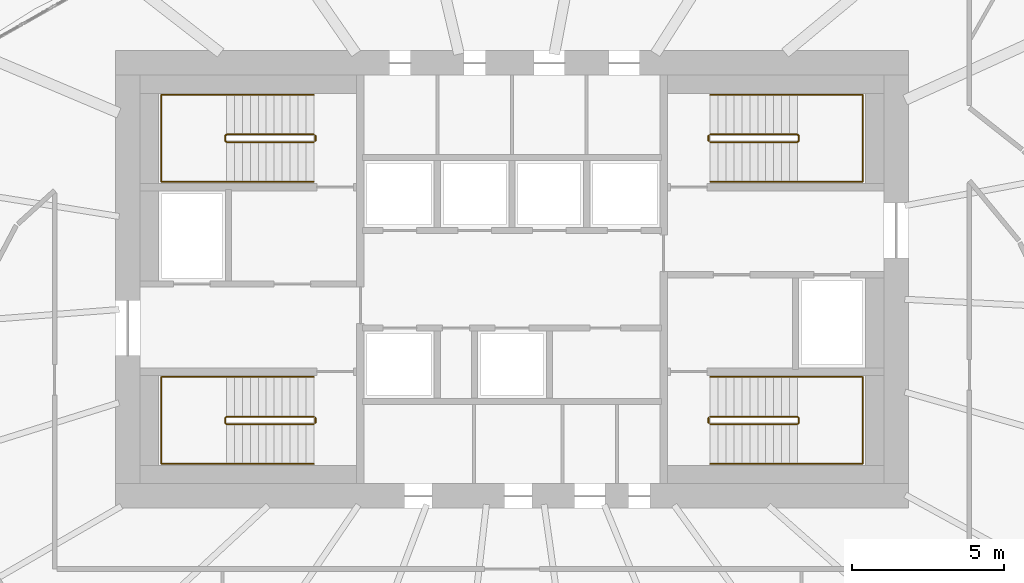
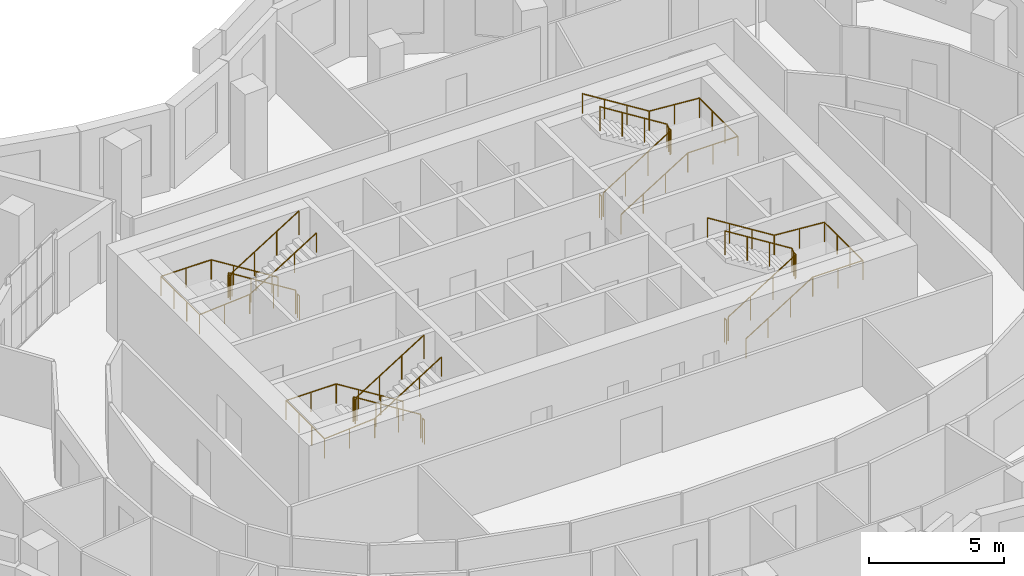
# One storey, part 12 of 13: 12 railings.
"""IFC4 building model written with IfcOpenShell, lengths in metres."""

import ifcopenshell
import ifcopenshell.guid

model = None  # the IFC model being written
_history = None  # IfcOwnerHistory: only IFC2X3 demands one
_inside = {}  # id of a spatial element -> (the spatial element, [elements in it])
_under = {}  # id of a project, library or spatial element -> (it, [spatial elements below it])
_declared = {}  # id of a project -> (the project, [libraries it declares])
_typed = {}  # id of a type object -> (the type object, [elements of that type])
_made_of = {}  # id of a material, layer set ... -> (it, [elements and type objects made of it])


def new_model(schema):
    """Start an empty IFC model of exactly this schema.

    Asked for "IFC4X3", IfcOpenShell would pick the latest addendum, in which some entities
    have other attributes; the version numbers below select the first issue.
    IFC2X3 requires an IfcOwnerHistory on every rooted entity: one is made here for all.
    """
    global model, _history
    if schema == "IFC4X3":
        model = ifcopenshell.file(schema_version=(4, 3, 0, 0))
    else:
        model = ifcopenshell.file(schema=schema)
    _inside.clear()
    _under.clear()
    _declared.clear()
    _typed.clear()
    _made_of.clear()
    _history = None
    if model.schema == "IFC2X3":
        org = make("IfcOrganization", Name="unknown")
        user = make(
            "IfcPersonAndOrganization",
            ThePerson=make("IfcPerson", FamilyName="unknown"),
            TheOrganization=org,
        )
        app = make(
            "IfcApplication",
            ApplicationDeveloper=org,
            Version="unknown",
            ApplicationFullName="unknown",
            ApplicationIdentifier="unknown",
        )
        _history = make(
            "IfcOwnerHistory",
            OwningUser=user,
            OwningApplication=app,
            ChangeAction="ADDED",
            CreationDate=0,
        )
    return model


def make(cls, **values):
    """One entity of the class cls with the attributes given. An attribute that is None is left unset."""
    return model.create_entity(
        cls, **{name: value for name, value in values.items() if value is not None}
    )


def rooted(cls, **values):
    """An entity with a GlobalId (a new one), such as an element, a storey or a relation."""
    return make(cls, GlobalId=ifcopenshell.guid.new(), OwnerHistory=_history, **values)


def si_unit(unit_type, name, prefix=None):
    """IfcSIUnit, for example si_unit("LENGTHUNIT", "METRE", prefix="MILLI")."""
    return make("IfcSIUnit", UnitType=unit_type, Prefix=prefix, Name=name)


def assignment(units):
    """IfcUnitAssignment: the units of a project."""
    return None if units is None else make("IfcUnitAssignment", Units=units)


def point(xyz):
    """IfcCartesianPoint."""
    return None if xyz is None else make("IfcCartesianPoint", Coordinates=xyz)


def direction(xyz):
    """IfcDirection."""
    return None if xyz is None else make("IfcDirection", DirectionRatios=xyz)


def frame(location, z_axis=None, x_axis=None):
    """IfcAxis2Placement3D, a coordinate frame: its origin and axes. An axis left out is left unset."""
    return make(
        "IfcAxis2Placement3D",
        Location=point(location),
        Axis=direction(z_axis),
        RefDirection=direction(x_axis),
    )


def frame_2d(location, x_axis=None):
    """IfcAxis2Placement2D, a coordinate frame in the plane: its origin and x axis."""
    return make(
        "IfcAxis2Placement2D", Location=point(location), RefDirection=direction(x_axis)
    )


def origin():
    """The frame at (0, 0, 0) with its axes left unset."""
    return frame((0.0, 0.0, 0.0))


def origin_2d():
    """The frame at (0, 0) in the plane with its x axis left unset."""
    return frame_2d((0.0, 0.0))


def place(relative_to, where):
    """IfcLocalPlacement: puts the frame where relative to a parent placement (None: the world)."""
    return make(
        "IfcLocalPlacement", PlacementRelTo=relative_to, RelativePlacement=where
    )


def context(
    kind, dimensions, precision=None, world=None, true_north=None, identifier=None
):
    """IfcGeometricRepresentationContext, for example the 3D "Model" context."""
    return make(
        "IfcGeometricRepresentationContext",
        ContextIdentifier=identifier,
        ContextType=kind,
        CoordinateSpaceDimension=dimensions,
        Precision=precision,
        WorldCoordinateSystem=world,
        TrueNorth=true_north,
    )


def subcontext(parent, identifier, kind, view, scale=None):
    """IfcGeometricRepresentationSubContext, for example "Body" below "Model"."""
    return make(
        "IfcGeometricRepresentationSubContext",
        ContextIdentifier=identifier,
        ContextType=kind,
        ParentContext=parent,
        TargetScale=scale,
        TargetView=view,
    )


def project(units=None, contexts=None):
    """IfcProject with its units and contexts."""
    return rooted(
        "IfcProject",
        Name="project",
        RepresentationContexts=contexts,
        UnitsInContext=assignment(units),
    )


def spatial(cls, under=None, at=None, **own):
    """A site, building, storey or space (cls), placed at a placement, below another one or the project."""
    s = rooted(cls, ObjectPlacement=at, **own)
    if under is not None:
        _under.setdefault(under.id(), (under, []))[1].append(s)
    return s


def profile(cls, at=None, kind="AREA", **sizes):
    """A parametric profile (cls). Its sizes go by their IFC names, for example OverallWidth=200.0."""
    return make(cls, ProfileType=kind, Position=at, **sizes)


def circle(**sizes):
    """IfcCircleProfileDef."""
    return profile("IfcCircleProfileDef", **sizes)


def extrude(swept, where, along, depth):
    """IfcExtrudedAreaSolid: the profile swept, set in the frame where, extruded along a direction by depth."""
    return make(
        "IfcExtrudedAreaSolid",
        SweptArea=swept,
        Position=where,
        ExtrudedDirection=direction(along),
        Depth=depth,
    )


def shape(context_of_items, identifier, shape_type, items):
    """IfcShapeRepresentation: the items that make up one representation, for example the "Body"."""
    return make(
        "IfcShapeRepresentation",
        ContextOfItems=context_of_items,
        RepresentationIdentifier=identifier,
        RepresentationType=shape_type,
        Items=items,
    )


def material(Name=None, Category=None):
    """IfcMaterial."""
    return make("IfcMaterial", Name=Name, Category=Category)


def made_of(thing, what):
    """Note that an element or type object is made of a material, layer set ...; save() writes the relation."""
    if what is not None:
        _made_of.setdefault(what.id(), (what, []))[1].append(thing)
    return thing


def type_object(cls, material=None, **own):
    """A type object (cls), such as IfcWallType, which elements share."""
    return made_of(rooted(cls, **own), material)


def element(
    cls,
    number,
    at=None,
    inside=None,
    cuts=None,
    type_object=None,
    material=None,
    context=None,
    identifier="Body",
    shape_type=None,
    held_by="IfcProductDefinitionShape",
    body=None,
    shapes=None,
    **own,
):
    """One element of the class cls, such as IfcWall. Its Tag is "e" and its number.

    at: its placement. inside: the storey or other place that contains it. cuts: it is an
    opening in that element (IfcRelVoidsElement). A single representation is given by context,
    identifier, shape_type and body (its items); several are given by shapes. held_by: the class
    of the entity that holds the representations. save() writes the other relations.
    """
    e = rooted(cls, Tag="e%d" % number, ObjectPlacement=at, **own)
    if body is not None:
        shapes = [shape(context, identifier, shape_type, body)]
    if shapes is not None:
        e.Representation = make(held_by, Representations=shapes)
    if inside is not None:
        _inside.setdefault(inside.id(), (inside, []))[1].append(e)
    if cuts is not None:
        rooted(
            "IfcRelVoidsElement", RelatingBuildingElement=cuts, RelatedOpeningElement=e
        )
    if type_object is not None:
        _typed.setdefault(type_object.id(), (type_object, []))[1].append(e)
    return made_of(e, material)


def aggregate(whole, parts):
    """IfcRelAggregates: a whole, such as a stair, and the parts it consists of."""
    return rooted("IfcRelAggregates", RelatingObject=whole, RelatedObjects=parts)


def save(model, path):
    """Write the relations noted so far, then the file.

    IfcRelAggregates (storeys below a building ...), IfcRelContainedInSpatialStructure (elements
    in a storey), IfcRelDefinesByType, IfcRelAssociatesMaterial and IfcRelDeclares: one each for
    every whole, place, type object, material and project.
    """
    for whole, parts in _under.values():
        aggregate(whole, parts)
    for where, things in _inside.values():
        rooted(
            "IfcRelContainedInSpatialStructure",
            RelatedElements=things,
            RelatingStructure=where,
        )
    for kind, things in _typed.values():
        rooted("IfcRelDefinesByType", RelatedObjects=things, RelatingType=kind)
    for what, things in _made_of.values():
        rooted("IfcRelAssociatesMaterial", RelatedObjects=things, RelatingMaterial=what)
    for by, libraries in _declared.values():
        rooted("IfcRelDeclares", RelatingContext=by, RelatedDefinitions=libraries)
    model.write(path)


model = new_model("IFC4")

# Units and contexts
model_context = context("Model", 3, precision=1e-05, world=origin(), true_north=direction((0.0, 1.0)))
body_context = subcontext(model_context, "Body", "Model", "MODEL_VIEW")
ifc_project = project(units=[si_unit("LENGTHUNIT", "METRE"), si_unit("AREAUNIT", "SQUARE_METRE"), si_unit("VOLUMEUNIT", "CUBIC_METRE"), si_unit("PLANEANGLEUNIT", "RADIAN"), si_unit("MASSUNIT", "GRAM", prefix="KILO")], contexts=[model_context])

# Site, building, storey
site_placement = place(None, origin())
site = spatial("IfcSite", under=ifc_project, at=site_placement, CompositionType="ELEMENT")
building_placement = place(site_placement, origin())
building = spatial("IfcBuilding", under=site, at=building_placement, Name="Rubra Terraces Tower", CompositionType="ELEMENT")
storey_placement = place(building_placement, frame((0.0, 0.0, 189.60009765625)))
storey = spatial("IfcBuildingStorey", under=building, at=storey_placement, Name="L46", CompositionType="ELEMENT", Elevation=189.60009765625)

# Railings
ifc_material = material(Name="Stainless steel", Category="steel")
railing_type_1 = type_object("IfcRailingType", Name="Core stair guard 1100", PredefinedType="GUARDRAIL", material=ifc_material)
railing_1_placement = place(storey_placement, frame((-6.5, 0.0, 0.162353515625)))
element("IfcRailing", 1, at=railing_1_placement, inside=storey, type_object=railing_type_1, Name="L46 stair S1 guard 1", PredefinedType="GUARDRAIL", context=body_context, shape_type="SweptSolid", body=[
    extrude(circle(Radius=0.02392578125, at=origin_2d()), frame((0.0, 0.0, 1.076171875), z_axis=(-0.847994237388, 0.0, 0.530005446535), x_axis=(0.0, -1.0, 0.0)), (0.0, 0.0, 1.0), 3.372802734375),
    extrude(circle(Radius=0.02392578125, at=origin_2d()), frame((-2.860107421875, 0.0, 2.86376953125), z_axis=(-0.705375805398, -0.708833529934, 0.0), x_axis=(0.708833529934, -0.705375805398, 0.0)), (0.0, 0.0, 1.0), 0.070556640625),
    extrude(circle(Radius=0.02392578125, at=origin_2d()), frame((-2.909912109375, -0.050048828125, 2.86376953125), z_axis=(0.0, -1.0, 0.0), x_axis=(1.0, 0.0, 0.0)), (0.0, 0.0, 1.0), 0.14990234375),
    extrude(circle(Radius=0.02392578125, at=origin_2d()), frame((-2.909912109375, -0.199951171875, 2.86376953125), z_axis=(0.281314826061, -0.282693820306, 0.917031173188), x_axis=(0.708833529934, 0.705375805398, 0.0)), (0.0, 0.0, 1.0), 0.177001953125),
    extrude(circle(Radius=0.02392578125, at=origin_2d()), frame((-2.860107421875, -0.25, 3.02587890625), z_axis=(0.847994237388, 0.0, 0.530005446535), x_axis=(0.0, 1.0, 0.0)), (0.0, 0.0, 1.0), 3.372802734375),
    extrude(circle(Radius=0.02099609375, at=origin_2d()), origin(), (0.0, 0.0, 1.0), 1.052001953125),
    extrude(circle(Radius=0.02099609375, at=origin_2d()), frame((-0.953369140625, 0.0, 0.595947265625)), (0.0, 0.0, 1.0), 1.052001953125),
    extrude(circle(Radius=0.02099609375, at=origin_2d()), frame((-1.90673828125, 0.0, 1.191650390625)), (0.0, 0.0, 1.0), 1.052001953125),
    extrude(circle(Radius=0.02099609375, at=origin_2d()), frame((-2.860107421875, 0.0, 1.78759765625)), (0.0, 0.0, 1.0), 1.052001953125),
    extrude(circle(Radius=0.02099609375, at=origin_2d()), frame((-2.909912109375, -0.050048828125, 1.78759765625)), (0.0, 0.0, 1.0), 1.052001953125),
    extrude(circle(Radius=0.02099609375, at=origin_2d()), frame((-2.909912109375, -0.199951171875, 1.78759765625)), (0.0, 0.0, 1.0), 1.052001953125),
    extrude(circle(Radius=0.02099609375, at=origin_2d()), frame((-2.860107421875, -0.25, 1.949951171875)), (0.0, 0.0, 1.0), 1.052001953125),
    extrude(circle(Radius=0.02099609375, at=origin_2d()), frame((-1.90673828125, -0.25, 2.5458984375)), (0.0, 0.0, 1.0), 1.052001953125),
    extrude(circle(Radius=0.02099609375, at=origin_2d()), frame((-0.953369140625, -0.25, 3.1416015625)), (0.0, 0.0, 1.0), 1.052001953125),
    extrude(circle(Radius=0.02099609375, at=origin_2d()), frame((0.0, -0.25, 3.737548828125)), (0.0, 0.0, 1.0), 1.052001953125),
])
railing_2_placement = place(storey_placement, frame((-6.449951171875, -0.050048828125, 0.0)))
element("IfcRailing", 2, at=railing_2_placement, inside=storey, type_object=railing_type_1, Name="L46 stair S1 guard 2", PredefinedType="GUARDRAIL", context=body_context, shape_type="SweptSolid", body=[
    extrude(circle(Radius=0.02392578125, at=origin_2d()), frame((0.0, 0.0, 1.076171875), z_axis=(0.0, -1.0, 0.0), x_axis=(1.0, 0.0, 0.0)), (0.0, 0.0, 1.0), 0.14990234375),
    extrude(circle(Radius=0.02099609375, at=origin_2d()), origin(), (0.0, 0.0, 1.0), 1.052001953125),
    extrude(circle(Radius=0.02099609375, at=origin_2d()), frame((0.0, -0.14990234375, 0.0)), (0.0, 0.0, 1.0), 1.052001953125),
])
railing_3_placement = place(storey_placement, frame((-6.5, 9.25, 0.162353515625)))
element("IfcRailing", 3, at=railing_3_placement, inside=storey, type_object=railing_type_1, Name="L46 stair S2 guard 1", PredefinedType="GUARDRAIL", context=body_context, shape_type="SweptSolid", body=[
    extrude(circle(Radius=0.02392578125, at=origin_2d()), frame((0.0, 0.0, 1.076171875), z_axis=(-0.847994237388, 0.0, 0.530005446535), x_axis=(0.0, -1.0, 0.0)), (0.0, 0.0, 1.0), 3.372802734375),
    extrude(circle(Radius=0.02392578125, at=origin_2d()), frame((-2.860107421875, 0.0, 2.86376953125), z_axis=(-0.705375805398, -0.708833529934, 0.0), x_axis=(0.708833529934, -0.705375805398, 0.0)), (0.0, 0.0, 1.0), 0.070556640625),
    extrude(circle(Radius=0.02392578125, at=origin_2d()), frame((-2.909912109375, -0.050048828125, 2.86376953125), z_axis=(0.0, -1.0, 0.0), x_axis=(1.0, 0.0, 0.0)), (0.0, 0.0, 1.0), 0.14990234375),
    extrude(circle(Radius=0.02392578125, at=origin_2d()), frame((-2.909912109375, -0.199951171875, 2.86376953125), z_axis=(0.281314826061, -0.282693820306, 0.917031173188), x_axis=(0.708833529934, 0.705375805398, 0.0)), (0.0, 0.0, 1.0), 0.177001953125),
    extrude(circle(Radius=0.02392578125, at=origin_2d()), frame((-2.860107421875, -0.25, 3.02587890625), z_axis=(0.847994237388, 0.0, 0.530005446535), x_axis=(0.0, 1.0, 0.0)), (0.0, 0.0, 1.0), 3.372802734375),
    extrude(circle(Radius=0.02099609375, at=origin_2d()), origin(), (0.0, 0.0, 1.0), 1.052001953125),
    extrude(circle(Radius=0.02099609375, at=origin_2d()), frame((-0.953369140625, 0.0, 0.595947265625)), (0.0, 0.0, 1.0), 1.052001953125),
    extrude(circle(Radius=0.02099609375, at=origin_2d()), frame((-1.90673828125, 0.0, 1.191650390625)), (0.0, 0.0, 1.0), 1.052001953125),
    extrude(circle(Radius=0.02099609375, at=origin_2d()), frame((-2.860107421875, 0.0, 1.78759765625)), (0.0, 0.0, 1.0), 1.052001953125),
    extrude(circle(Radius=0.02099609375, at=origin_2d()), frame((-2.909912109375, -0.050048828125, 1.78759765625)), (0.0, 0.0, 1.0), 1.052001953125),
    extrude(circle(Radius=0.02099609375, at=origin_2d()), frame((-2.909912109375, -0.199951171875, 1.78759765625)), (0.0, 0.0, 1.0), 1.052001953125),
    extrude(circle(Radius=0.02099609375, at=origin_2d()), frame((-2.860107421875, -0.25, 1.949951171875)), (0.0, 0.0, 1.0), 1.052001953125),
    extrude(circle(Radius=0.02099609375, at=origin_2d()), frame((-1.90673828125, -0.25, 2.5458984375)), (0.0, 0.0, 1.0), 1.052001953125),
    extrude(circle(Radius=0.02099609375, at=origin_2d()), frame((-0.953369140625, -0.25, 3.1416015625)), (0.0, 0.0, 1.0), 1.052001953125),
    extrude(circle(Radius=0.02099609375, at=origin_2d()), frame((0.0, -0.25, 3.737548828125)), (0.0, 0.0, 1.0), 1.052001953125),
])
railing_4_placement = place(storey_placement, frame((-6.449951171875, 9.199951171875, 0.0)))
element("IfcRailing", 4, at=railing_4_placement, inside=storey, type_object=railing_type_1, Name="L46 stair S2 guard 2", PredefinedType="GUARDRAIL", context=body_context, shape_type="SweptSolid", body=[
    extrude(circle(Radius=0.02392578125, at=origin_2d()), frame((0.0, 0.0, 1.076171875), z_axis=(0.0, -1.0, 0.0), x_axis=(1.0, 0.0, 0.0)), (0.0, 0.0, 1.0), 0.14990234375),
    extrude(circle(Radius=0.02099609375, at=origin_2d()), origin(), (0.0, 0.0, 1.0), 1.052001953125),
    extrude(circle(Radius=0.02099609375, at=origin_2d()), frame((0.0, -0.14990234375, 0.0)), (0.0, 0.0, 1.0), 1.052001953125),
])
railing_5_placement = place(storey_placement, frame((6.5, 9.0, 0.162353515625)))
element("IfcRailing", 5, at=railing_5_placement, inside=storey, type_object=railing_type_1, Name="L46 stair S3 guard 1", PredefinedType="GUARDRAIL", context=body_context, shape_type="SweptSolid", body=[
    extrude(circle(Radius=0.02392578125, at=origin_2d()), frame((0.0, 0.0, 1.076171875), z_axis=(0.847994237388, 0.0, 0.530005446535), x_axis=(0.0, 1.0, 0.0)), (0.0, 0.0, 1.0), 3.372802734375),
    extrude(circle(Radius=0.02392578125, at=origin_2d()), frame((2.860107421875, 0.0, 2.86376953125), z_axis=(0.705375805398, 0.708833529934, 0.0), x_axis=(-0.708833529934, 0.705375805398, 0.0)), (0.0, 0.0, 1.0), 0.070556640625),
    extrude(circle(Radius=0.02392578125, at=origin_2d()), frame((2.909912109375, 0.050048828125, 2.86376953125), z_axis=(0.0, 1.0, 0.0), x_axis=(-1.0, 0.0, 0.0)), (0.0, 0.0, 1.0), 0.14990234375),
    extrude(circle(Radius=0.02392578125, at=origin_2d()), frame((2.909912109375, 0.199951171875, 2.86376953125), z_axis=(-0.281314826061, 0.282693820306, 0.917031173188), x_axis=(-0.708833529934, -0.705375805398, 0.0)), (0.0, 0.0, 1.0), 0.177001953125),
    extrude(circle(Radius=0.02392578125, at=origin_2d()), frame((2.860107421875, 0.25, 3.02587890625), z_axis=(-0.847994237388, 0.0, 0.530005446535), x_axis=(0.0, -1.0, 0.0)), (0.0, 0.0, 1.0), 3.372802734375),
    extrude(circle(Radius=0.02099609375, at=origin_2d()), origin(), (0.0, 0.0, 1.0), 1.052001953125),
    extrude(circle(Radius=0.02099609375, at=origin_2d()), frame((0.953369140625, 0.0, 0.595947265625)), (0.0, 0.0, 1.0), 1.052001953125),
    extrude(circle(Radius=0.02099609375, at=origin_2d()), frame((1.90673828125, 0.0, 1.191650390625)), (0.0, 0.0, 1.0), 1.052001953125),
    extrude(circle(Radius=0.02099609375, at=origin_2d()), frame((2.860107421875, 0.0, 1.78759765625)), (0.0, 0.0, 1.0), 1.052001953125),
    extrude(circle(Radius=0.02099609375, at=origin_2d()), frame((2.909912109375, 0.050048828125, 1.78759765625)), (0.0, 0.0, 1.0), 1.052001953125),
    extrude(circle(Radius=0.02099609375, at=origin_2d()), frame((2.909912109375, 0.199951171875, 1.78759765625)), (0.0, 0.0, 1.0), 1.052001953125),
    extrude(circle(Radius=0.02099609375, at=origin_2d()), frame((2.860107421875, 0.25, 1.949951171875)), (0.0, 0.0, 1.0), 1.052001953125),
    extrude(circle(Radius=0.02099609375, at=origin_2d()), frame((1.90673828125, 0.25, 2.5458984375)), (0.0, 0.0, 1.0), 1.052001953125),
    extrude(circle(Radius=0.02099609375, at=origin_2d()), frame((0.953369140625, 0.25, 3.1416015625)), (0.0, 0.0, 1.0), 1.052001953125),
    extrude(circle(Radius=0.02099609375, at=origin_2d()), frame((0.0, 0.25, 3.737548828125)), (0.0, 0.0, 1.0), 1.052001953125),
])
railing_6_placement = place(storey_placement, frame((6.449951171875, 9.050048828125, 0.0)))
element("IfcRailing", 6, at=railing_6_placement, inside=storey, type_object=railing_type_1, Name="L46 stair S3 guard 2", PredefinedType="GUARDRAIL", context=body_context, shape_type="SweptSolid", body=[
    extrude(circle(Radius=0.02392578125, at=origin_2d()), frame((0.0, 0.0, 1.076171875), z_axis=(0.0, 1.0, 0.0), x_axis=(-1.0, 0.0, 0.0)), (0.0, 0.0, 1.0), 0.14990234375),
    extrude(circle(Radius=0.02099609375, at=origin_2d()), origin(), (0.0, 0.0, 1.0), 1.052001953125),
    extrude(circle(Radius=0.02099609375, at=origin_2d()), frame((0.0, 0.14990234375, 0.0)), (0.0, 0.0, 1.0), 1.052001953125),
])
railing_7_placement = place(storey_placement, frame((6.5, -0.25, 0.162353515625)))
element("IfcRailing", 7, at=railing_7_placement, inside=storey, type_object=railing_type_1, Name="L46 stair S4 guard 1", PredefinedType="GUARDRAIL", context=body_context, shape_type="SweptSolid", body=[
    extrude(circle(Radius=0.02392578125, at=origin_2d()), frame((0.0, 0.0, 1.076171875), z_axis=(0.847994237388, 0.0, 0.530005446535), x_axis=(0.0, 1.0, 0.0)), (0.0, 0.0, 1.0), 3.372802734375),
    extrude(circle(Radius=0.02392578125, at=origin_2d()), frame((2.860107421875, 0.0, 2.86376953125), z_axis=(0.705375805398, 0.708833529934, 0.0), x_axis=(-0.708833529934, 0.705375805398, 0.0)), (0.0, 0.0, 1.0), 0.070556640625),
    extrude(circle(Radius=0.02392578125, at=origin_2d()), frame((2.909912109375, 0.050048828125, 2.86376953125), z_axis=(0.0, 1.0, 0.0), x_axis=(-1.0, 0.0, 0.0)), (0.0, 0.0, 1.0), 0.14990234375),
    extrude(circle(Radius=0.02392578125, at=origin_2d()), frame((2.909912109375, 0.199951171875, 2.86376953125), z_axis=(-0.281314826061, 0.282693820306, 0.917031173188), x_axis=(-0.708833529934, -0.705375805398, 0.0)), (0.0, 0.0, 1.0), 0.177001953125),
    extrude(circle(Radius=0.02392578125, at=origin_2d()), frame((2.860107421875, 0.25, 3.02587890625), z_axis=(-0.847994237388, 0.0, 0.530005446535), x_axis=(0.0, -1.0, 0.0)), (0.0, 0.0, 1.0), 3.372802734375),
    extrude(circle(Radius=0.02099609375, at=origin_2d()), origin(), (0.0, 0.0, 1.0), 1.052001953125),
    extrude(circle(Radius=0.02099609375, at=origin_2d()), frame((0.953369140625, 0.0, 0.595947265625)), (0.0, 0.0, 1.0), 1.052001953125),
    extrude(circle(Radius=0.02099609375, at=origin_2d()), frame((1.90673828125, 0.0, 1.191650390625)), (0.0, 0.0, 1.0), 1.052001953125),
    extrude(circle(Radius=0.02099609375, at=origin_2d()), frame((2.860107421875, 0.0, 1.78759765625)), (0.0, 0.0, 1.0), 1.052001953125),
    extrude(circle(Radius=0.02099609375, at=origin_2d()), frame((2.909912109375, 0.050048828125, 1.78759765625)), (0.0, 0.0, 1.0), 1.052001953125),
    extrude(circle(Radius=0.02099609375, at=origin_2d()), frame((2.909912109375, 0.199951171875, 1.78759765625)), (0.0, 0.0, 1.0), 1.052001953125),
    extrude(circle(Radius=0.02099609375, at=origin_2d()), frame((2.860107421875, 0.25, 1.949951171875)), (0.0, 0.0, 1.0), 1.052001953125),
    extrude(circle(Radius=0.02099609375, at=origin_2d()), frame((1.90673828125, 0.25, 2.5458984375)), (0.0, 0.0, 1.0), 1.052001953125),
    extrude(circle(Radius=0.02099609375, at=origin_2d()), frame((0.953369140625, 0.25, 3.1416015625)), (0.0, 0.0, 1.0), 1.052001953125),
    extrude(circle(Radius=0.02099609375, at=origin_2d()), frame((0.0, 0.25, 3.737548828125)), (0.0, 0.0, 1.0), 1.052001953125),
])
railing_8_placement = place(storey_placement, frame((6.449951171875, -0.199951171875, 0.0)))
element("IfcRailing", 8, at=railing_8_placement, inside=storey, type_object=railing_type_1, Name="L46 stair S4 guard 2", PredefinedType="GUARDRAIL", context=body_context, shape_type="SweptSolid", body=[
    extrude(circle(Radius=0.02392578125, at=origin_2d()), frame((0.0, 0.0, 1.076171875), z_axis=(0.0, 1.0, 0.0), x_axis=(-1.0, 0.0, 0.0)), (0.0, 0.0, 1.0), 0.14990234375),
    extrude(circle(Radius=0.02099609375, at=origin_2d()), origin(), (0.0, 0.0, 1.0), 1.052001953125),
    extrude(circle(Radius=0.02099609375, at=origin_2d()), frame((0.0, 0.14990234375, 0.0)), (0.0, 0.0, 1.0), 1.052001953125),
])
railing_type_2 = type_object("IfcRailingType", Name="Core stair handrail 900", PredefinedType="HANDRAIL", material=ifc_material)
railing_9_placement = place(storey_placement, frame((-6.5, 1.300048828125, 0.162353515625)))
element("IfcRailing", 9, at=railing_9_placement, inside=storey, type_object=railing_type_2, Name="L46 stair S1 handrail 1", PredefinedType="HANDRAIL", context=body_context, shape_type="SweptSolid", body=[
    extrude(circle(Radius=0.02392578125, at=origin_2d()), frame((0.0, 0.0, 0.8759765625), z_axis=(-0.847994237388, 0.0, 0.530005446535), x_axis=(0.0, -1.0, 0.0)), (0.0, 0.0, 1.0), 3.372802734375),
    extrude(circle(Radius=0.02392578125, at=origin_2d()), frame((-2.860107421875, 0.0, 2.66357421875), z_axis=(-1.0, 0.0, 0.0), x_axis=(0.0, -1.0, 0.0)), (0.0, 0.0, 1.0), 2.139892578125),
    extrude(circle(Radius=0.02392578125, at=origin_2d()), frame((-5.0, 0.0, 2.66357421875), z_axis=(0.0, -1.0, 0.0), x_axis=(1.0, 0.0, 0.0)), (0.0, 0.0, 1.0), 2.85009765625),
    extrude(circle(Radius=0.02392578125, at=origin_2d()), frame((-5.0, -2.85009765625, 2.66357421875), z_axis=(0.9971342424, 0.0, 0.075652512401), x_axis=(0.0, 1.0, 0.0)), (0.0, 0.0, 1.0), 2.14599609375),
    extrude(circle(Radius=0.02392578125, at=origin_2d()), frame((-2.860107421875, -2.85009765625, 2.82568359375), z_axis=(0.847994237388, 0.0, 0.530005446535), x_axis=(0.0, 1.0, 0.0)), (0.0, 0.0, 1.0), 3.372802734375),
    extrude(circle(Radius=0.02099609375, at=origin_2d()), origin(), (0.0, 0.0, 1.0), 0.851806640625),
    extrude(circle(Radius=0.02099609375, at=origin_2d()), frame((-0.953369140625, 0.0, 0.595947265625)), (0.0, 0.0, 1.0), 0.851806640625),
    extrude(circle(Radius=0.02099609375, at=origin_2d()), frame((-1.90673828125, 0.0, 1.191650390625)), (0.0, 0.0, 1.0), 0.851806640625),
    extrude(circle(Radius=0.02099609375, at=origin_2d()), frame((-2.860107421875, 0.0, 1.78759765625)), (0.0, 0.0, 1.0), 0.851806640625),
    extrude(circle(Radius=0.02099609375, at=origin_2d()), frame((-3.93017578125, 0.0, 1.78759765625)), (0.0, 0.0, 1.0), 0.851806640625),
    extrude(circle(Radius=0.02099609375, at=origin_2d()), frame((-5.0, 0.0, 1.78759765625)), (0.0, 0.0, 1.0), 0.851806640625),
    extrude(circle(Radius=0.02099609375, at=origin_2d()), frame((-5.0, -0.949951171875, 1.78759765625)), (0.0, 0.0, 1.0), 0.851806640625),
    extrude(circle(Radius=0.02099609375, at=origin_2d()), frame((-5.0, -1.900146484375, 1.78759765625)), (0.0, 0.0, 1.0), 0.851806640625),
    extrude(circle(Radius=0.02099609375, at=origin_2d()), frame((-5.0, -2.85009765625, 1.78759765625)), (0.0, 0.0, 1.0), 0.851806640625),
    extrude(circle(Radius=0.02099609375, at=origin_2d()), frame((-3.93017578125, -2.85009765625, 1.86865234375)), (0.0, 0.0, 1.0), 0.851806640625),
    extrude(circle(Radius=0.02099609375, at=origin_2d()), frame((-2.860107421875, -2.85009765625, 1.949951171875)), (0.0, 0.0, 1.0), 0.851806640625),
    extrude(circle(Radius=0.02099609375, at=origin_2d()), frame((-1.90673828125, -2.85009765625, 2.5458984375)), (0.0, 0.0, 1.0), 0.851806640625),
    extrude(circle(Radius=0.02099609375, at=origin_2d()), frame((-0.953369140625, -2.85009765625, 3.1416015625)), (0.0, 0.0, 1.0), 0.851806640625),
    extrude(circle(Radius=0.02099609375, at=origin_2d()), frame((0.0, -2.85009765625, 3.737548828125)), (0.0, 0.0, 1.0), 0.851806640625),
])
railing_10_placement = place(storey_placement, frame((-6.5, 10.550048828125, 0.162353515625)))
element("IfcRailing", 10, at=railing_10_placement, inside=storey, type_object=railing_type_2, Name="L46 stair S2 handrail 1", PredefinedType="HANDRAIL", context=body_context, shape_type="SweptSolid", body=[
    extrude(circle(Radius=0.02392578125, at=origin_2d()), frame((0.0, 0.0, 0.8759765625), z_axis=(-0.847994237388, 0.0, 0.530005446535), x_axis=(0.0, -1.0, 0.0)), (0.0, 0.0, 1.0), 3.372802734375),
    extrude(circle(Radius=0.02392578125, at=origin_2d()), frame((-2.860107421875, 0.0, 2.66357421875), z_axis=(-1.0, 0.0, 0.0), x_axis=(0.0, -1.0, 0.0)), (0.0, 0.0, 1.0), 2.139892578125),
    extrude(circle(Radius=0.02392578125, at=origin_2d()), frame((-5.0, 0.0, 2.66357421875), z_axis=(0.0, -1.0, 0.0), x_axis=(1.0, 0.0, 0.0)), (0.0, 0.0, 1.0), 2.85009765625),
    extrude(circle(Radius=0.02392578125, at=origin_2d()), frame((-5.0, -2.85009765625, 2.66357421875), z_axis=(0.9971342424, 0.0, 0.075652512401), x_axis=(0.0, 1.0, 0.0)), (0.0, 0.0, 1.0), 2.14599609375),
    extrude(circle(Radius=0.02392578125, at=origin_2d()), frame((-2.860107421875, -2.85009765625, 2.82568359375), z_axis=(0.847994237388, 0.0, 0.530005446535), x_axis=(0.0, 1.0, 0.0)), (0.0, 0.0, 1.0), 3.372802734375),
    extrude(circle(Radius=0.02099609375, at=origin_2d()), origin(), (0.0, 0.0, 1.0), 0.851806640625),
    extrude(circle(Radius=0.02099609375, at=origin_2d()), frame((-0.953369140625, 0.0, 0.595947265625)), (0.0, 0.0, 1.0), 0.851806640625),
    extrude(circle(Radius=0.02099609375, at=origin_2d()), frame((-1.90673828125, 0.0, 1.191650390625)), (0.0, 0.0, 1.0), 0.851806640625),
    extrude(circle(Radius=0.02099609375, at=origin_2d()), frame((-2.860107421875, 0.0, 1.78759765625)), (0.0, 0.0, 1.0), 0.851806640625),
    extrude(circle(Radius=0.02099609375, at=origin_2d()), frame((-3.93017578125, 0.0, 1.78759765625)), (0.0, 0.0, 1.0), 0.851806640625),
    extrude(circle(Radius=0.02099609375, at=origin_2d()), frame((-5.0, 0.0, 1.78759765625)), (0.0, 0.0, 1.0), 0.851806640625),
    extrude(circle(Radius=0.02099609375, at=origin_2d()), frame((-5.0, -0.949951171875, 1.78759765625)), (0.0, 0.0, 1.0), 0.851806640625),
    extrude(circle(Radius=0.02099609375, at=origin_2d()), frame((-5.0, -1.900146484375, 1.78759765625)), (0.0, 0.0, 1.0), 0.851806640625),
    extrude(circle(Radius=0.02099609375, at=origin_2d()), frame((-5.0, -2.85009765625, 1.78759765625)), (0.0, 0.0, 1.0), 0.851806640625),
    extrude(circle(Radius=0.02099609375, at=origin_2d()), frame((-3.93017578125, -2.85009765625, 1.86865234375)), (0.0, 0.0, 1.0), 0.851806640625),
    extrude(circle(Radius=0.02099609375, at=origin_2d()), frame((-2.860107421875, -2.85009765625, 1.949951171875)), (0.0, 0.0, 1.0), 0.851806640625),
    extrude(circle(Radius=0.02099609375, at=origin_2d()), frame((-1.90673828125, -2.85009765625, 2.5458984375)), (0.0, 0.0, 1.0), 0.851806640625),
    extrude(circle(Radius=0.02099609375, at=origin_2d()), frame((-0.953369140625, -2.85009765625, 3.1416015625)), (0.0, 0.0, 1.0), 0.851806640625),
    extrude(circle(Radius=0.02099609375, at=origin_2d()), frame((0.0, -2.85009765625, 3.737548828125)), (0.0, 0.0, 1.0), 0.851806640625),
])
railing_11_placement = place(storey_placement, frame((6.5, 7.699951171875, 0.162353515625)))
element("IfcRailing", 11, at=railing_11_placement, inside=storey, type_object=railing_type_2, Name="L46 stair S3 handrail 1", PredefinedType="HANDRAIL", context=body_context, shape_type="SweptSolid", body=[
    extrude(circle(Radius=0.02392578125, at=origin_2d()), frame((0.0, 0.0, 0.8759765625), z_axis=(0.847994237388, 0.0, 0.530005446535), x_axis=(0.0, 1.0, 0.0)), (0.0, 0.0, 1.0), 3.372802734375),
    extrude(circle(Radius=0.02392578125, at=origin_2d()), frame((2.860107421875, 0.0, 2.66357421875), z_axis=(1.0, 0.0, 0.0), x_axis=(0.0, 1.0, 0.0)), (0.0, 0.0, 1.0), 2.139892578125),
    extrude(circle(Radius=0.02392578125, at=origin_2d()), frame((5.0, 0.0, 2.66357421875), z_axis=(0.0, 1.0, 0.0), x_axis=(-1.0, 0.0, 0.0)), (0.0, 0.0, 1.0), 2.85009765625),
    extrude(circle(Radius=0.02392578125, at=origin_2d()), frame((5.0, 2.85009765625, 2.66357421875), z_axis=(-0.9971342424, 0.0, 0.075652512401), x_axis=(0.0, -1.0, 0.0)), (0.0, 0.0, 1.0), 2.14599609375),
    extrude(circle(Radius=0.02392578125, at=origin_2d()), frame((2.860107421875, 2.85009765625, 2.82568359375), z_axis=(-0.847994237388, 0.0, 0.530005446535), x_axis=(0.0, -1.0, 0.0)), (0.0, 0.0, 1.0), 3.372802734375),
    extrude(circle(Radius=0.02099609375, at=origin_2d()), origin(), (0.0, 0.0, 1.0), 0.851806640625),
    extrude(circle(Radius=0.02099609375, at=origin_2d()), frame((0.953369140625, 0.0, 0.595947265625)), (0.0, 0.0, 1.0), 0.851806640625),
    extrude(circle(Radius=0.02099609375, at=origin_2d()), frame((1.90673828125, 0.0, 1.191650390625)), (0.0, 0.0, 1.0), 0.851806640625),
    extrude(circle(Radius=0.02099609375, at=origin_2d()), frame((2.860107421875, 0.0, 1.78759765625)), (0.0, 0.0, 1.0), 0.851806640625),
    extrude(circle(Radius=0.02099609375, at=origin_2d()), frame((3.93017578125, 0.0, 1.78759765625)), (0.0, 0.0, 1.0), 0.851806640625),
    extrude(circle(Radius=0.02099609375, at=origin_2d()), frame((5.0, 0.0, 1.78759765625)), (0.0, 0.0, 1.0), 0.851806640625),
    extrude(circle(Radius=0.02099609375, at=origin_2d()), frame((5.0, 0.949951171875, 1.78759765625)), (0.0, 0.0, 1.0), 0.851806640625),
    extrude(circle(Radius=0.02099609375, at=origin_2d()), frame((5.0, 1.900146484375, 1.78759765625)), (0.0, 0.0, 1.0), 0.851806640625),
    extrude(circle(Radius=0.02099609375, at=origin_2d()), frame((5.0, 2.85009765625, 1.78759765625)), (0.0, 0.0, 1.0), 0.851806640625),
    extrude(circle(Radius=0.02099609375, at=origin_2d()), frame((3.93017578125, 2.85009765625, 1.86865234375)), (0.0, 0.0, 1.0), 0.851806640625),
    extrude(circle(Radius=0.02099609375, at=origin_2d()), frame((2.860107421875, 2.85009765625, 1.949951171875)), (0.0, 0.0, 1.0), 0.851806640625),
    extrude(circle(Radius=0.02099609375, at=origin_2d()), frame((1.90673828125, 2.85009765625, 2.5458984375)), (0.0, 0.0, 1.0), 0.851806640625),
    extrude(circle(Radius=0.02099609375, at=origin_2d()), frame((0.953369140625, 2.85009765625, 3.1416015625)), (0.0, 0.0, 1.0), 0.851806640625),
    extrude(circle(Radius=0.02099609375, at=origin_2d()), frame((0.0, 2.85009765625, 3.737548828125)), (0.0, 0.0, 1.0), 0.851806640625),
])
railing_12_placement = place(storey_placement, frame((6.5, -1.550048828125, 0.162353515625)))
element("IfcRailing", 12, at=railing_12_placement, inside=storey, type_object=railing_type_2, Name="L46 stair S4 handrail 1", PredefinedType="HANDRAIL", context=body_context, shape_type="SweptSolid", body=[
    extrude(circle(Radius=0.02392578125, at=origin_2d()), frame((0.0, 0.0, 0.8759765625), z_axis=(0.847994237388, 0.0, 0.530005446535), x_axis=(0.0, 1.0, 0.0)), (0.0, 0.0, 1.0), 3.372802734375),
    extrude(circle(Radius=0.02392578125, at=origin_2d()), frame((2.860107421875, 0.0, 2.66357421875), z_axis=(1.0, 0.0, 0.0), x_axis=(0.0, 1.0, 0.0)), (0.0, 0.0, 1.0), 2.139892578125),
    extrude(circle(Radius=0.02392578125, at=origin_2d()), frame((5.0, 0.0, 2.66357421875), z_axis=(0.0, 1.0, 0.0), x_axis=(-1.0, 0.0, 0.0)), (0.0, 0.0, 1.0), 2.85009765625),
    extrude(circle(Radius=0.02392578125, at=origin_2d()), frame((5.0, 2.85009765625, 2.66357421875), z_axis=(-0.9971342424, 0.0, 0.075652512401), x_axis=(0.0, -1.0, 0.0)), (0.0, 0.0, 1.0), 2.14599609375),
    extrude(circle(Radius=0.02392578125, at=origin_2d()), frame((2.860107421875, 2.85009765625, 2.82568359375), z_axis=(-0.847994237388, 0.0, 0.530005446535), x_axis=(0.0, -1.0, 0.0)), (0.0, 0.0, 1.0), 3.372802734375),
    extrude(circle(Radius=0.02099609375, at=origin_2d()), origin(), (0.0, 0.0, 1.0), 0.851806640625),
    extrude(circle(Radius=0.02099609375, at=origin_2d()), frame((0.953369140625, 0.0, 0.595947265625)), (0.0, 0.0, 1.0), 0.851806640625),
    extrude(circle(Radius=0.02099609375, at=origin_2d()), frame((1.90673828125, 0.0, 1.191650390625)), (0.0, 0.0, 1.0), 0.851806640625),
    extrude(circle(Radius=0.02099609375, at=origin_2d()), frame((2.860107421875, 0.0, 1.78759765625)), (0.0, 0.0, 1.0), 0.851806640625),
    extrude(circle(Radius=0.02099609375, at=origin_2d()), frame((3.93017578125, 0.0, 1.78759765625)), (0.0, 0.0, 1.0), 0.851806640625),
    extrude(circle(Radius=0.02099609375, at=origin_2d()), frame((5.0, 0.0, 1.78759765625)), (0.0, 0.0, 1.0), 0.851806640625),
    extrude(circle(Radius=0.02099609375, at=origin_2d()), frame((5.0, 0.949951171875, 1.78759765625)), (0.0, 0.0, 1.0), 0.851806640625),
    extrude(circle(Radius=0.02099609375, at=origin_2d()), frame((5.0, 1.900146484375, 1.78759765625)), (0.0, 0.0, 1.0), 0.851806640625),
    extrude(circle(Radius=0.02099609375, at=origin_2d()), frame((5.0, 2.85009765625, 1.78759765625)), (0.0, 0.0, 1.0), 0.851806640625),
    extrude(circle(Radius=0.02099609375, at=origin_2d()), frame((3.93017578125, 2.85009765625, 1.86865234375)), (0.0, 0.0, 1.0), 0.851806640625),
    extrude(circle(Radius=0.02099609375, at=origin_2d()), frame((2.860107421875, 2.85009765625, 1.949951171875)), (0.0, 0.0, 1.0), 0.851806640625),
    extrude(circle(Radius=0.02099609375, at=origin_2d()), frame((1.90673828125, 2.85009765625, 2.5458984375)), (0.0, 0.0, 1.0), 0.851806640625),
    extrude(circle(Radius=0.02099609375, at=origin_2d()), frame((0.953369140625, 2.85009765625, 3.1416015625)), (0.0, 0.0, 1.0), 0.851806640625),
    extrude(circle(Radius=0.02099609375, at=origin_2d()), frame((0.0, 2.85009765625, 3.737548828125)), (0.0, 0.0, 1.0), 0.851806640625),
])

save(model, "model.ifc")
